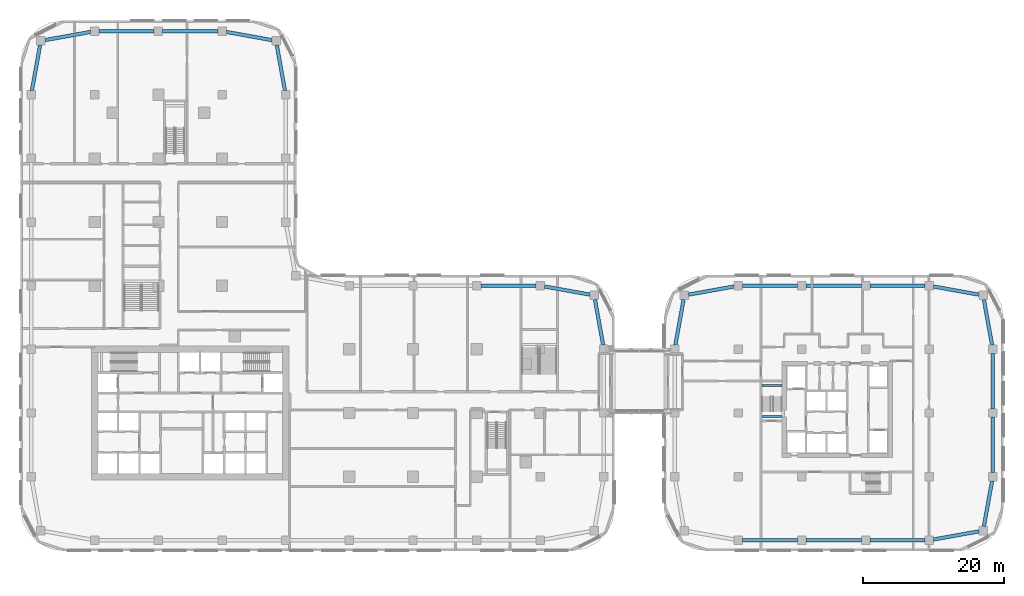
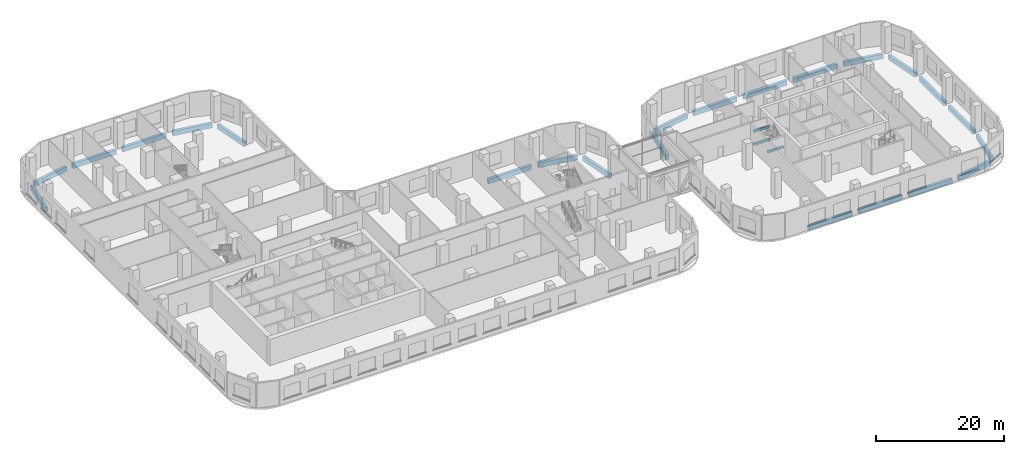
# One storey, part 3 of 35: 26 beams.
"""IFC4 building model written with IfcOpenShell, lengths in metres."""

import ifcopenshell
import ifcopenshell.guid

model = None  # the IFC model being written
_history = None  # IfcOwnerHistory: only IFC2X3 demands one
_inside = {}  # id of a spatial element -> (the spatial element, [elements in it])
_under = {}  # id of a project, library or spatial element -> (it, [spatial elements below it])
_declared = {}  # id of a project -> (the project, [libraries it declares])
_typed = {}  # id of a type object -> (the type object, [elements of that type])
_made_of = {}  # id of a material, layer set ... -> (it, [elements and type objects made of it])


def new_model(schema):
    """Start an empty IFC model of exactly this schema.

    Asked for "IFC4X3", IfcOpenShell would pick the latest addendum, in which some entities
    have other attributes; the version numbers below select the first issue.
    IFC2X3 requires an IfcOwnerHistory on every rooted entity: one is made here for all.
    """
    global model, _history
    if schema == "IFC4X3":
        model = ifcopenshell.file(schema_version=(4, 3, 0, 0))
    else:
        model = ifcopenshell.file(schema=schema)
    _inside.clear()
    _under.clear()
    _declared.clear()
    _typed.clear()
    _made_of.clear()
    _history = None
    if model.schema == "IFC2X3":
        org = make("IfcOrganization", Name="unknown")
        user = make(
            "IfcPersonAndOrganization",
            ThePerson=make("IfcPerson", FamilyName="unknown"),
            TheOrganization=org,
        )
        app = make(
            "IfcApplication",
            ApplicationDeveloper=org,
            Version="unknown",
            ApplicationFullName="unknown",
            ApplicationIdentifier="unknown",
        )
        _history = make(
            "IfcOwnerHistory",
            OwningUser=user,
            OwningApplication=app,
            ChangeAction="ADDED",
            CreationDate=0,
        )
    return model


def make(cls, **values):
    """One entity of the class cls with the attributes given. An attribute that is None is left unset."""
    return model.create_entity(
        cls, **{name: value for name, value in values.items() if value is not None}
    )


def rooted(cls, **values):
    """An entity with a GlobalId (a new one), such as an element, a storey or a relation."""
    return make(cls, GlobalId=ifcopenshell.guid.new(), OwnerHistory=_history, **values)


def si_unit(unit_type, name, prefix=None):
    """IfcSIUnit, for example si_unit("LENGTHUNIT", "METRE", prefix="MILLI")."""
    return make("IfcSIUnit", UnitType=unit_type, Prefix=prefix, Name=name)


def assignment(units):
    """IfcUnitAssignment: the units of a project."""
    return None if units is None else make("IfcUnitAssignment", Units=units)


def point(xyz):
    """IfcCartesianPoint."""
    return None if xyz is None else make("IfcCartesianPoint", Coordinates=xyz)


def direction(xyz):
    """IfcDirection."""
    return None if xyz is None else make("IfcDirection", DirectionRatios=xyz)


def frame(location, z_axis=None, x_axis=None):
    """IfcAxis2Placement3D, a coordinate frame: its origin and axes. An axis left out is left unset."""
    return make(
        "IfcAxis2Placement3D",
        Location=point(location),
        Axis=direction(z_axis),
        RefDirection=direction(x_axis),
    )


def frame_2d(location, x_axis=None):
    """IfcAxis2Placement2D, a coordinate frame in the plane: its origin and x axis."""
    return make(
        "IfcAxis2Placement2D", Location=point(location), RefDirection=direction(x_axis)
    )


def origin():
    """The frame at (0, 0, 0) with its axes left unset."""
    return frame((0.0, 0.0, 0.0))


def origin_2d():
    """The frame at (0, 0) in the plane with its x axis left unset."""
    return frame_2d((0.0, 0.0))


def place(relative_to, where):
    """IfcLocalPlacement: puts the frame where relative to a parent placement (None: the world)."""
    return make(
        "IfcLocalPlacement", PlacementRelTo=relative_to, RelativePlacement=where
    )


def context(
    kind, dimensions, precision=None, world=None, true_north=None, identifier=None
):
    """IfcGeometricRepresentationContext, for example the 3D "Model" context."""
    return make(
        "IfcGeometricRepresentationContext",
        ContextIdentifier=identifier,
        ContextType=kind,
        CoordinateSpaceDimension=dimensions,
        Precision=precision,
        WorldCoordinateSystem=world,
        TrueNorth=true_north,
    )


def subcontext(parent, identifier, kind, view, scale=None):
    """IfcGeometricRepresentationSubContext, for example "Body" below "Model"."""
    return make(
        "IfcGeometricRepresentationSubContext",
        ContextIdentifier=identifier,
        ContextType=kind,
        ParentContext=parent,
        TargetScale=scale,
        TargetView=view,
    )


def project(units=None, contexts=None):
    """IfcProject with its units and contexts."""
    return rooted(
        "IfcProject",
        Name="project",
        RepresentationContexts=contexts,
        UnitsInContext=assignment(units),
    )


def spatial(cls, under=None, at=None, **own):
    """A site, building, storey or space (cls), placed at a placement, below another one or the project."""
    s = rooted(cls, ObjectPlacement=at, **own)
    if under is not None:
        _under.setdefault(under.id(), (under, []))[1].append(s)
    return s


def profile(cls, at=None, kind="AREA", **sizes):
    """A parametric profile (cls). Its sizes go by their IFC names, for example OverallWidth=200.0."""
    return make(cls, ProfileType=kind, Position=at, **sizes)


def rectangle(**sizes):
    """IfcRectangleProfileDef."""
    return profile("IfcRectangleProfileDef", **sizes)


def extrude(swept, where, along, depth):
    """IfcExtrudedAreaSolid: the profile swept, set in the frame where, extruded along a direction by depth."""
    return make(
        "IfcExtrudedAreaSolid",
        SweptArea=swept,
        Position=where,
        ExtrudedDirection=direction(along),
        Depth=depth,
    )


def shape(context_of_items, identifier, shape_type, items):
    """IfcShapeRepresentation: the items that make up one representation, for example the "Body"."""
    return make(
        "IfcShapeRepresentation",
        ContextOfItems=context_of_items,
        RepresentationIdentifier=identifier,
        RepresentationType=shape_type,
        Items=items,
    )


def material(Name=None, Category=None):
    """IfcMaterial."""
    return make("IfcMaterial", Name=Name, Category=Category)


def material_profile(
    of_material, cross_section, Name=None, Category=None, Priority=None
):
    """IfcMaterialProfile: a cross section and its material."""
    return make(
        "IfcMaterialProfile",
        Name=Name,
        Material=of_material,
        Profile=cross_section,
        Priority=Priority,
        Category=Category,
    )


def profile_set(profiles, Name=None, composite=None):
    """IfcMaterialProfileSet."""
    return make(
        "IfcMaterialProfileSet",
        Name=Name,
        MaterialProfiles=profiles,
        CompositeProfile=composite,
    )


def made_of(thing, what):
    """Note that an element or type object is made of a material, layer set ...; save() writes the relation."""
    if what is not None:
        _made_of.setdefault(what.id(), (what, []))[1].append(thing)
    return thing


def type_object(cls, material=None, **own):
    """A type object (cls), such as IfcWallType, which elements share."""
    return made_of(rooted(cls, **own), material)


def element(
    cls,
    number,
    at=None,
    inside=None,
    cuts=None,
    type_object=None,
    material=None,
    context=None,
    identifier="Body",
    shape_type=None,
    held_by="IfcProductDefinitionShape",
    body=None,
    shapes=None,
    **own,
):
    """One element of the class cls, such as IfcWall. Its Tag is "e" and its number.

    at: its placement. inside: the storey or other place that contains it. cuts: it is an
    opening in that element (IfcRelVoidsElement). A single representation is given by context,
    identifier, shape_type and body (its items); several are given by shapes. held_by: the class
    of the entity that holds the representations. save() writes the other relations.
    """
    e = rooted(cls, Tag="e%d" % number, ObjectPlacement=at, **own)
    if body is not None:
        shapes = [shape(context, identifier, shape_type, body)]
    if shapes is not None:
        e.Representation = make(held_by, Representations=shapes)
    if inside is not None:
        _inside.setdefault(inside.id(), (inside, []))[1].append(e)
    if cuts is not None:
        rooted(
            "IfcRelVoidsElement", RelatingBuildingElement=cuts, RelatedOpeningElement=e
        )
    if type_object is not None:
        _typed.setdefault(type_object.id(), (type_object, []))[1].append(e)
    return made_of(e, material)


def aggregate(whole, parts):
    """IfcRelAggregates: a whole, such as a stair, and the parts it consists of."""
    return rooted("IfcRelAggregates", RelatingObject=whole, RelatedObjects=parts)


def save(model, path):
    """Write the relations noted so far, then the file.

    IfcRelAggregates (storeys below a building ...), IfcRelContainedInSpatialStructure (elements
    in a storey), IfcRelDefinesByType, IfcRelAssociatesMaterial and IfcRelDeclares: one each for
    every whole, place, type object, material and project.
    """
    for whole, parts in _under.values():
        aggregate(whole, parts)
    for where, things in _inside.values():
        rooted(
            "IfcRelContainedInSpatialStructure",
            RelatedElements=things,
            RelatingStructure=where,
        )
    for kind, things in _typed.values():
        rooted("IfcRelDefinesByType", RelatedObjects=things, RelatingType=kind)
    for what, things in _made_of.values():
        rooted("IfcRelAssociatesMaterial", RelatedObjects=things, RelatingMaterial=what)
    for by, libraries in _declared.values():
        rooted("IfcRelDeclares", RelatingContext=by, RelatedDefinitions=libraries)
    model.write(path)


model = new_model("IFC4")

# Units and contexts
model_context = context("Model", 3, precision=1e-05, world=origin(), true_north=direction((0.0, 1.0)))
body_context = subcontext(model_context, "Body", "Model", "MODEL_VIEW")
ifc_project = project(units=[si_unit("LENGTHUNIT", "METRE"), si_unit("AREAUNIT", "SQUARE_METRE"), si_unit("VOLUMEUNIT", "CUBIC_METRE"), si_unit("PLANEANGLEUNIT", "RADIAN"), si_unit("MASSUNIT", "GRAM", prefix="KILO")], contexts=[model_context])

# Site, building, storey
site_placement = place(None, origin())
site = spatial("IfcSite", under=ifc_project, at=site_placement, CompositionType="ELEMENT")
building_placement = place(site_placement, origin())
building = spatial("IfcBuilding", under=site, at=building_placement, Name="Ogive Portal Towers", CompositionType="ELEMENT")
storey_placement = place(building_placement, frame((0.0, 0.0, 18.5)))
storey = spatial("IfcBuildingStorey", under=building, at=storey_placement, Name="L03", CompositionType="ELEMENT", Elevation=18.5)

# Beams
ifc_material_1 = material(Name="Concrete C40/50", Category="concrete")
ifc_material_profile_1 = material_profile(ifc_material_1, rectangle(XDim=0.300048828125, YDim=0.39990234375, at=origin_2d()), Name="RC 300x400")
ifc_profile_set_1 = profile_set([ifc_material_profile_1], Name="Concrete C40/50")
beam_type_1 = type_object("IfcBeamType", Name="BEAM RC 300x400", PredefinedType="BEAM", material=ifc_profile_set_1)
for number, where, z_axis, x_axis, name in (
    (1, (125.85009765625, 34.39990234375, 0.85009765625), (1.0, 0.0, 0.0), (0.0, 1.0, 0.0), "Landing beam L03"),
    (2, (125.85009765625, 30.0, 2.10009765625), (1.0, 0.0, 0.0), (0.0, 1.0, 0.0), "Landing beam L03"),
    (3, (125.85009765625, 34.39990234375, 3.35009765625), (1.0, 0.0, 0.0), (0.0, 1.0, 0.0), "Landing beam L03"),
):
    element("IfcBeam", number, at=place(storey_placement, frame(where, z_axis=z_axis, x_axis=x_axis)), inside=storey, type_object=beam_type_1, Name=name, PredefinedType="BEAM", context=body_context, shape_type="SweptSolid", body=[
        extrude(rectangle(XDim=0.300048828125, YDim=0.39990234375, at=origin_2d()), origin(), (0.0, 0.0, 1.0), 2.849853515625),
    ])
ifc_material_2 = material(Name="Concrete C50/60", Category="concrete")
ifc_material_profile_2 = material_profile(ifc_material_2, rectangle(XDim=0.5, YDim=0.89990234375, at=origin_2d()), Name="RC 500x900")
ifc_profile_set_2 = profile_set([ifc_material_profile_2], Name="Concrete C50/60")
beam_type_2 = type_object("IfcBeamType", Name="PODIUM GIRDER RC 500x900", PredefinedType="BEAM", material=ifc_profile_set_2)
for number, where, z_axis, x_axis, name in (
    (4, (103.392333984375, 40.10009765625, -0.75), (-0.176730903032, 0.984259207685, 0.0), (-0.984259207685, -0.176730903032, 0.0), "Spandrel beam L03"),
    (5, (101.530029296875, 47.23779296875, -0.75), (-0.984259207685, 0.176730903032, 0.0), (-0.176730903032, -0.984259207685, 0.0), "Spandrel beam L03"),
):
    element("IfcBeam", number, at=place(storey_placement, frame(where, z_axis=z_axis, x_axis=x_axis)), inside=storey, type_object=beam_type_2, Name=name, PredefinedType="BEAM", context=body_context, shape_type="SweptSolid", body=[
        extrude(rectangle(XDim=0.5, YDim=0.89990234375, at=origin_2d()), origin(), (0.0, 0.0, 1.0), 6.53271484375),
    ])
beam_placement = place(storey_placement, frame((93.89990234375, 48.5, -0.75), z_axis=(-1.0, 0.0, 0.0), x_axis=(0.0, -1.0, 0.0)))
element("IfcBeam", 6, at=beam_placement, inside=storey, type_object=beam_type_2, Name="Spandrel beam L03", PredefinedType="BEAM", context=body_context, shape_type="SweptSolid", body=[
    extrude(rectangle(XDim=0.5, YDim=0.89990234375, at=origin_2d()), origin(), (0.0, 0.0, 1.0), 7.7998046875),
])
for number, where, z_axis, x_axis, name in (
    (7, (58.392333984375, 76.10009765625, -0.75), (-0.176730903032, 0.984259207685, 0.0), (-0.984259207685, -0.176730903032, 0.0), "Spandrel beam L03"),
    (8, (56.530029296875, 83.23779296875, -0.75), (-0.984259207685, 0.176730903032, 0.0), (-0.176730903032, -0.984259207685, 0.0), "Spandrel beam L03"),
):
    element("IfcBeam", number, at=place(storey_placement, frame(where, z_axis=z_axis, x_axis=x_axis)), inside=storey, type_object=beam_type_2, Name=name, PredefinedType="BEAM", context=body_context, shape_type="SweptSolid", body=[
        extrude(rectangle(XDim=0.5, YDim=0.89990234375, at=origin_2d()), origin(), (0.0, 0.0, 1.0), 6.53271484375),
    ])
for number, where, z_axis, x_axis, name in (
    (9, (48.89990234375, 84.5, -0.75), (-1.0, 0.0, 0.0), (0.0, -1.0, 0.0), "Spandrel beam L03"),
    (10, (39.89990234375, 84.5, -0.75), (-1.0, 0.0, 0.0), (0.0, -1.0, 0.0), "Spandrel beam L03"),
):
    element("IfcBeam", number, at=place(storey_placement, frame(where, z_axis=z_axis, x_axis=x_axis)), inside=storey, type_object=beam_type_2, Name=name, PredefinedType="BEAM", context=body_context, shape_type="SweptSolid", body=[
        extrude(rectangle(XDim=0.5, YDim=0.89990234375, at=origin_2d()), origin(), (0.0, 0.0, 1.0), 7.7998046875),
    ])
for number, where, z_axis, x_axis, name in (
    (11, (30.89990234375, 84.392333984375, -0.75), (-0.984259207685, -0.176730903032, 0.0), (0.176730903032, -0.984259207685, 0.0), "Spandrel beam L03"),
    (12, (23.76220703125, 82.530029296875, -0.75), (-0.176730903032, -0.984259207685, 0.0), (0.984259207685, -0.176730903032, 0.0), "Spandrel beam L03"),
):
    element("IfcBeam", number, at=place(storey_placement, frame(where, z_axis=z_axis, x_axis=x_axis)), inside=storey, type_object=beam_type_2, Name=name, PredefinedType="BEAM", context=body_context, shape_type="SweptSolid", body=[
        extrude(rectangle(XDim=0.5, YDim=0.89990234375, at=origin_2d()), origin(), (0.0, 0.0, 1.0), 6.53271484375),
    ])
for number, where, z_axis, x_axis, name in (
    (13, (123.10009765625, 12.5, -0.75), (1.0, 0.0, 0.0), (0.0, 1.0, 0.0), "Spandrel beam L03"),
    (14, (132.10009765625, 12.5, -0.75), (1.0, 0.0, 0.0), (0.0, 1.0, 0.0), "Spandrel beam L03"),
    (15, (141.10009765625, 12.5, -0.75), (1.0, 0.0, 0.0), (0.0, 1.0, 0.0), "Spandrel beam L03"),
):
    element("IfcBeam", number, at=place(storey_placement, frame(where, z_axis=z_axis, x_axis=x_axis)), inside=storey, type_object=beam_type_2, Name=name, PredefinedType="BEAM", context=body_context, shape_type="SweptSolid", body=[
        extrude(rectangle(XDim=0.5, YDim=0.89990234375, at=origin_2d()), origin(), (0.0, 0.0, 1.0), 7.7998046875),
    ])
for number, where, z_axis, x_axis, name in (
    (16, (150.10009765625, 12.607666015625, -0.75), (0.984259207685, 0.176730903032, 0.0), (-0.176730903032, 0.984259207685, 0.0), "Spandrel beam L03"),
    (17, (157.23779296875, 14.469970703125, -0.75), (0.176730903032, 0.984259207685, 0.0), (-0.984259207685, 0.176730903032, 0.0), "Spandrel beam L03"),
):
    element("IfcBeam", number, at=place(storey_placement, frame(where, z_axis=z_axis, x_axis=x_axis)), inside=storey, type_object=beam_type_2, Name=name, PredefinedType="BEAM", context=body_context, shape_type="SweptSolid", body=[
        extrude(rectangle(XDim=0.5, YDim=0.89990234375, at=origin_2d()), origin(), (0.0, 0.0, 1.0), 6.53271484375),
    ])
for number, where, z_axis, x_axis, name in (
    (18, (158.5, 22.10009765625, -0.75), (0.0, 1.0, 0.0), (-1.0, 0.0, 0.0), "Spandrel beam L03"),
    (19, (158.5, 31.10009765625, -0.75), (0.0, 1.0, 0.0), (-1.0, 0.0, 0.0), "Spandrel beam L03"),
):
    element("IfcBeam", number, at=place(storey_placement, frame(where, z_axis=z_axis, x_axis=x_axis)), inside=storey, type_object=beam_type_2, Name=name, PredefinedType="BEAM", context=body_context, shape_type="SweptSolid", body=[
        extrude(rectangle(XDim=0.5, YDim=0.89990234375, at=origin_2d()), origin(), (0.0, 0.0, 1.0), 7.7998046875),
    ])
for number, where, z_axis, x_axis, name in (
    (20, (158.392333984375, 40.10009765625, -0.75), (-0.176730903032, 0.984259207685, 0.0), (-0.984259207685, -0.176730903032, 0.0), "Spandrel beam L03"),
    (21, (156.530029296875, 47.23779296875, -0.75), (-0.984259207685, 0.176730903032, 0.0), (-0.176730903032, -0.984259207685, 0.0), "Spandrel beam L03"),
):
    element("IfcBeam", number, at=place(storey_placement, frame(where, z_axis=z_axis, x_axis=x_axis)), inside=storey, type_object=beam_type_2, Name=name, PredefinedType="BEAM", context=body_context, shape_type="SweptSolid", body=[
        extrude(rectangle(XDim=0.5, YDim=0.89990234375, at=origin_2d()), origin(), (0.0, 0.0, 1.0), 6.53271484375),
    ])
for number, where, z_axis, x_axis, name in (
    (22, (148.89990234375, 48.5, -0.75), (-1.0, 0.0, 0.0), (0.0, -1.0, 0.0), "Spandrel beam L03"),
    (23, (139.89990234375, 48.5, -0.75), (-1.0, 0.0, 0.0), (0.0, -1.0, 0.0), "Spandrel beam L03"),
    (24, (130.89990234375, 48.5, -0.75), (-1.0, 0.0, 0.0), (0.0, -1.0, 0.0), "Spandrel beam L03"),
):
    element("IfcBeam", number, at=place(storey_placement, frame(where, z_axis=z_axis, x_axis=x_axis)), inside=storey, type_object=beam_type_2, Name=name, PredefinedType="BEAM", context=body_context, shape_type="SweptSolid", body=[
        extrude(rectangle(XDim=0.5, YDim=0.89990234375, at=origin_2d()), origin(), (0.0, 0.0, 1.0), 7.7998046875),
    ])
for number, where, z_axis, x_axis, name in (
    (25, (121.89990234375, 48.392333984375, -0.75), (-0.984259207685, -0.176730903032, 0.0), (0.176730903032, -0.984259207685, 0.0), "Spandrel beam L03"),
    (26, (114.76220703125, 46.530029296875, -0.75), (-0.176730903032, -0.984259207685, 0.0), (0.984259207685, -0.176730903032, 0.0), "Spandrel beam L03"),
):
    element("IfcBeam", number, at=place(storey_placement, frame(where, z_axis=z_axis, x_axis=x_axis)), inside=storey, type_object=beam_type_2, Name=name, PredefinedType="BEAM", context=body_context, shape_type="SweptSolid", body=[
        extrude(rectangle(XDim=0.5, YDim=0.89990234375, at=origin_2d()), origin(), (0.0, 0.0, 1.0), 6.53271484375),
    ])

save(model, "model.ifc")
